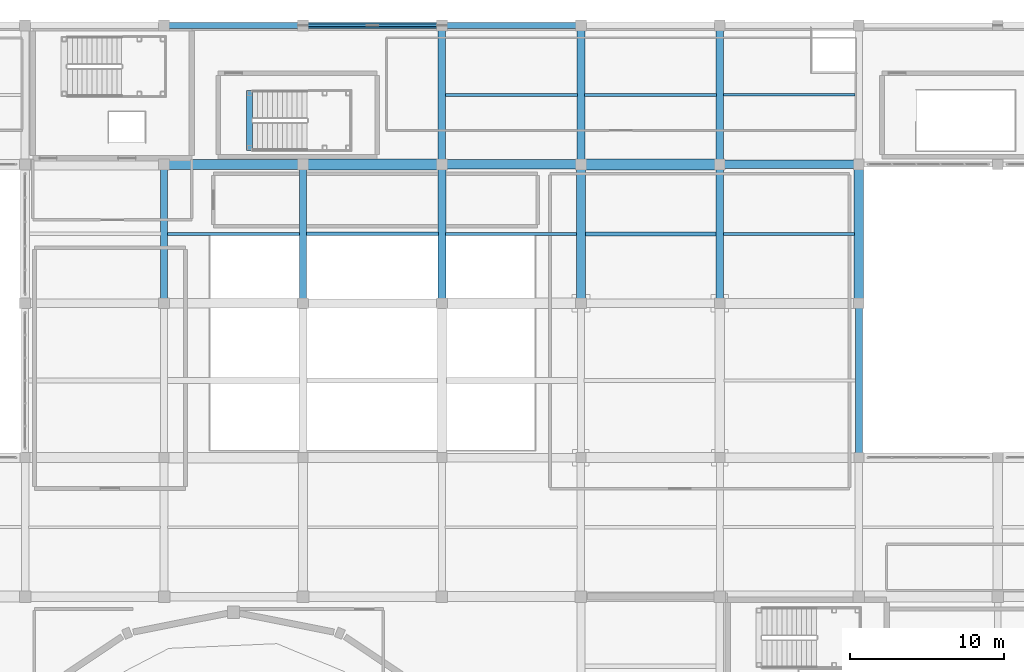
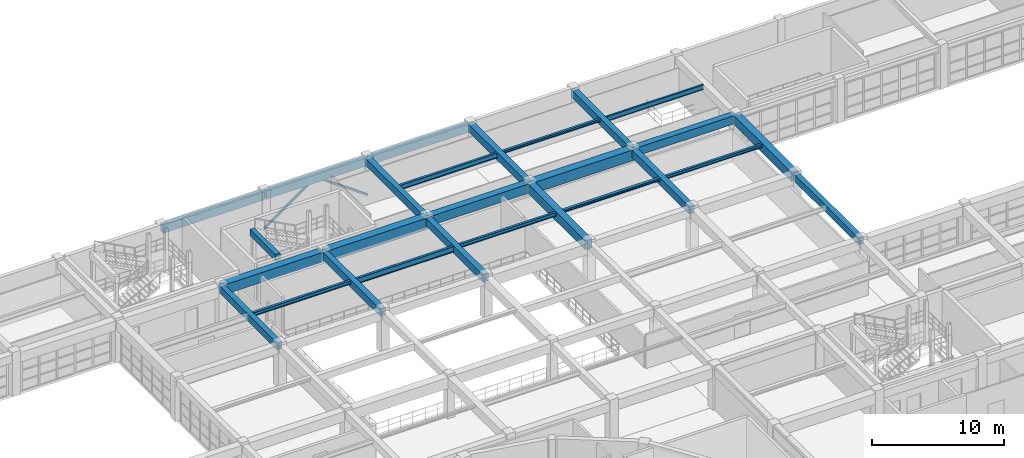
# One storey, part 72 of 130: 27 beams, 2 members.
"""IFC4 building model written with IfcOpenShell, lengths in metres."""

from ifc_helpers import new_model, si_unit, direction, frame, origin, origin_2d, place, context, subcontext, project, spatial, rectangle, hollow_rectangle, i_section, extrude, material, material_profile, profile_set, type_object, element, save


model = new_model("IFC4")

# Units and contexts
model_context = context("Model", 3, precision=1e-05, world=origin(), true_north=direction((0.0, 1.0)))
body_context = subcontext(model_context, "Body", "Model", "MODEL_VIEW")
ifc_project = project(units=[si_unit("LENGTHUNIT", "METRE"), si_unit("AREAUNIT", "SQUARE_METRE"), si_unit("VOLUMEUNIT", "CUBIC_METRE"), si_unit("PLANEANGLEUNIT", "RADIAN"), si_unit("MASSUNIT", "GRAM", prefix="KILO")], contexts=[model_context])

# Site, building, storey
site_placement = place(None, origin())
site = spatial("IfcSite", under=ifc_project, at=site_placement, CompositionType="ELEMENT")
building_placement = place(site_placement, origin())
building = spatial("IfcBuilding", under=site, at=building_placement, Name="Miravela Opera House", CompositionType="ELEMENT")
storey_placement = place(building_placement, frame((0.0, 0.0, 9.52001953125)))
storey = spatial("IfcBuildingStorey", under=building, at=storey_placement, Name="L02", CompositionType="ELEMENT", Elevation=9.52001953125)

# Beams
ifc_material_1 = material(Name="Concrete C35/45", Category="concrete")
ifc_material_profile_1 = material_profile(ifc_material_1, rectangle(XDim=0.39990234375, YDim=0.60009765625, at=origin_2d()), Name="RC-BM-400X600")
ifc_profile_set_1 = profile_set([ifc_material_profile_1])
beam_type_1 = type_object("IfcBeamType", Name="STR-BM-RC400X600", PredefinedType="JOIST", material=ifc_profile_set_1)
beam_1_placement = place(storey_placement, frame((77.5400390625, 103.89990234375, 3.780029296875), z_axis=(0.0, 1.0, 0.0), x_axis=(-1.0, 0.0, 0.0)))
element("IfcBeam", 1, at=beam_1_placement, inside=storey, type_object=beam_type_1, Name="Stair ST-07 Opening Header Trimmer Beam 03", PredefinedType="JOIST", context=body_context, shape_type="SweptSolid", body=[
    extrude(rectangle(XDim=0.39990234375, YDim=0.60009765625, at=origin_2d()), origin(), (0.0, 0.0, 1.0), 3.880126953125),
])
ifc_material_profile_2 = material_profile(ifc_material_1, rectangle(XDim=0.449951171875, YDim=0.64990234375, at=origin_2d()), Name="RC-BM-450X650")
ifc_profile_set_2 = profile_set([ifc_material_profile_2])
beam_type_2 = type_object("IfcBeamType", Name="STR-BM-RC450X650", PredefinedType="BEAM", material=ifc_profile_set_2)
beam_2_placement = place(storey_placement, frame((72.0, 94.080078125, 3.514892578125), z_axis=(0.0, 1.0, 0.0), x_axis=(-1.0, 0.0, 0.0)))
element("IfcBeam", 2, at=beam_2_placement, inside=storey, type_object=beam_type_2, Name="Floor Girder L02 9/K-L", PredefinedType="BEAM", context=body_context, shape_type="SweptSolid", body=[
    extrude(rectangle(XDim=0.449951171875, YDim=0.64990234375, at=origin_2d()), origin(), (0.0, 0.0, 1.0), 8.83984375),
])
beam_3_placement = place(storey_placement, frame((117.0, 84.080078125, 3.514892578125), z_axis=(0.0, 1.0, 0.0), x_axis=(-1.0, 0.0, 0.0)))
element("IfcBeam", 3, at=beam_3_placement, inside=storey, type_object=beam_type_2, Name="Floor Girder L02 14/J-K", PredefinedType="BEAM", context=body_context, shape_type="SweptSolid", body=[
    extrude(rectangle(XDim=0.449951171875, YDim=0.64990234375, at=origin_2d()), origin(), (0.0, 0.0, 1.0), 9.83984375),
])
ifc_material_profile_3 = material_profile(ifc_material_1, rectangle(XDim=0.47998046875, YDim=0.679931640625, at=origin_2d()), Name="RC-BM-480X680")
ifc_profile_set_3 = profile_set([ifc_material_profile_3])
beam_type_3 = type_object("IfcBeamType", Name="STR-BM-RC480X680", PredefinedType="BEAM", material=ifc_profile_set_3)
for number, where, z_axis, x_axis, name in (
    (4, (81.0, 94.080078125, 3.5), (0.0, 1.0, 0.0), (-1.0, 0.0, 0.0), "Floor Girder L02 10/K-L"),
    (5, (90.0, 103.080078125, 3.5), (0.0, 1.0, 0.0), (-1.0, 0.0, 0.0), "Floor Girder L02 11/L-M"),
    (6, (108.0, 103.080078125, 3.5), (0.0, 1.0, 0.0), (-1.0, 0.0, 0.0), "Floor Girder L02 13/L-M"),
):
    element("IfcBeam", number, at=place(storey_placement, frame(where, z_axis=z_axis, x_axis=x_axis)), inside=storey, type_object=beam_type_3, Name=name, PredefinedType="BEAM", context=body_context, shape_type="SweptSolid", body=[
        extrude(rectangle(XDim=0.47998046875, YDim=0.679931640625, at=origin_2d()), origin(), (0.0, 0.0, 1.0), 8.83984375),
    ])
ifc_material_profile_4 = material_profile(ifc_material_1, rectangle(XDim=0.5, YDim=0.699951171875, at=origin_2d()), Name="RC-BM-500X700")
ifc_profile_set_4 = profile_set([ifc_material_profile_4])
beam_type_4 = type_object("IfcBeamType", Name="STR-BM-RC500X700", PredefinedType="BEAM", material=ifc_profile_set_4)
for number, where, z_axis, x_axis, name in (
    (7, (90.0, 94.080078125, 3.489990234375), (0.0, 1.0, 0.0), (-1.0, 0.0, 0.0), "Floor Girder L02 11/K-L"),
    (8, (99.0, 103.080078125, 3.489990234375), (0.0, 1.0, 0.0), (-1.0, 0.0, 0.0), "Floor Girder L02 12/L-M"),
    (9, (108.0, 94.080078125, 3.489990234375), (0.0, 1.0, 0.0), (-1.0, 0.0, 0.0), "Floor Girder L02 13/K-L"),
):
    element("IfcBeam", number, at=place(storey_placement, frame(where, z_axis=z_axis, x_axis=x_axis)), inside=storey, type_object=beam_type_4, Name=name, PredefinedType="BEAM", context=body_context, shape_type="SweptSolid", body=[
        extrude(rectangle(XDim=0.5, YDim=0.699951171875, at=origin_2d()), origin(), (0.0, 0.0, 1.0), 8.83984375),
    ])
ifc_material_profile_5 = material_profile(ifc_material_1, rectangle(XDim=0.550048828125, YDim=0.75, at=origin_2d()), Name="RC-BM-550X750")
ifc_profile_set_5 = profile_set([ifc_material_profile_5])
beam_type_5 = type_object("IfcBeamType", Name="STR-BM-RC550X750", PredefinedType="BEAM", material=ifc_profile_set_5)
beam_4_placement = place(storey_placement, frame((108.080078125, 103.0, 3.465087890625), z_axis=(1.0, 0.0, 0.0), x_axis=(0.0, 1.0, 0.0)))
element("IfcBeam", 10, at=beam_4_placement, inside=storey, type_object=beam_type_5, Name="Floor Girder L02 13-14/L", PredefinedType="BEAM", context=body_context, shape_type="SweptSolid", body=[
    extrude(rectangle(XDim=0.550048828125, YDim=0.75, at=origin_2d()), origin(), (0.0, 0.0, 1.0), 8.83984375),
])
ifc_material_2 = material(Name="Concrete C40/50", Category="concrete")
ifc_material_profile_6 = material_profile(ifc_material_2, rectangle(XDim=0.60009765625, YDim=0.85009765625, at=origin_2d()), Name="RC-BM-600X850")
ifc_profile_set_6 = profile_set([ifc_material_profile_6])
beam_type_6 = type_object("IfcBeamType", Name="STR-BM-RC600X850", PredefinedType="BEAM", material=ifc_profile_set_6)
for number, where, z_axis, x_axis, name in (
    (11, (90.080078125, 103.0, 3.4150390625), (1.0, 0.0, 0.0), (0.0, 1.0, 0.0), "Floor Girder L02 11-12/L"),
    (12, (99.0, 94.080078125, 3.4150390625), (0.0, 1.0, 0.0), (-1.0, 0.0, 0.0), "Floor Girder L02 12/K-L"),
    (13, (117.0, 94.080078125, 3.4150390625), (0.0, 1.0, 0.0), (-1.0, 0.0, 0.0), "Floor Girder L02 14/K-L"),
):
    element("IfcBeam", number, at=place(storey_placement, frame(where, z_axis=z_axis, x_axis=x_axis)), inside=storey, type_object=beam_type_6, Name=name, PredefinedType="BEAM", context=body_context, shape_type="SweptSolid", body=[
        extrude(rectangle(XDim=0.60009765625, YDim=0.85009765625, at=origin_2d()), origin(), (0.0, 0.0, 1.0), 8.83984375),
    ])
ifc_material_profile_7 = material_profile(ifc_material_2, rectangle(XDim=0.64990234375, YDim=0.89990234375, at=origin_2d()), Name="RC-BM-650X900")
ifc_profile_set_7 = profile_set([ifc_material_profile_7])
beam_type_7 = type_object("IfcBeamType", Name="STR-BM-RC650X900", PredefinedType="BEAM", material=ifc_profile_set_7)
beam_5_placement = place(storey_placement, frame((72.080078125, 103.0, 3.389892578125), z_axis=(1.0, 0.0, 0.0), x_axis=(0.0, 1.0, 0.0)))
element("IfcBeam", 14, at=beam_5_placement, inside=storey, type_object=beam_type_7, Name="Floor Girder L02 9-10/L", PredefinedType="BEAM", context=body_context, shape_type="SweptSolid", body=[
    extrude(rectangle(XDim=0.64990234375, YDim=0.89990234375, at=origin_2d()), origin(), (0.0, 0.0, 1.0), 8.83984375),
])
ifc_material_profile_8 = material_profile(ifc_material_2, rectangle(XDim=0.699951171875, YDim=1.0, at=origin_2d()), Name="RC-BM-700X1000")
ifc_profile_set_8 = profile_set([ifc_material_profile_8])
beam_type_8 = type_object("IfcBeamType", Name="STR-BM-RC700X1000", PredefinedType="BEAM", material=ifc_profile_set_8)
for number, where, z_axis, x_axis, name in (
    (15, (81.080078125, 103.0, 3.340087890625), (1.0, 0.0, 0.0), (0.0, 1.0, 0.0), "Floor Girder L02 10-11/L"),
    (16, (99.080078125, 103.0, 3.340087890625), (1.0, 0.0, 0.0), (0.0, 1.0, 0.0), "Floor Girder L02 12-13/L"),
):
    element("IfcBeam", number, at=place(storey_placement, frame(where, z_axis=z_axis, x_axis=x_axis)), inside=storey, type_object=beam_type_8, Name=name, PredefinedType="BEAM", context=body_context, shape_type="SweptSolid", body=[
        extrude(rectangle(XDim=0.699951171875, YDim=1.0, at=origin_2d()), origin(), (0.0, 0.0, 1.0), 8.83984375),
    ])
ifc_material_3 = material(Name="Structural steel ASTM A992 Gr. 50", Category="steel")
ifc_material_profile_9 = material_profile(ifc_material_3, i_section(OverallWidth=0.201904296875, OverallDepth=0.2470703125, WebThickness=0.00732421875, FlangeThickness=0.010986328125, FilletRadius=0.011962890625, at=origin_2d()), Name="W250X49")
ifc_profile_set_9 = profile_set([ifc_material_profile_9])
beam_type_9 = type_object("IfcBeamType", Name="STR-BM-W250X49", PredefinedType="LINTEL", material=ifc_profile_set_9)
beam_6_placement = place(storey_placement, frame((99.235107421875, 107.5, 3.716552734375), z_axis=(1.0, 0.0, 0.0), x_axis=(0.0, 1.0, 0.0)))
element("IfcBeam", 17, at=beam_6_placement, inside=storey, type_object=beam_type_9, Name="Secondary Floor Joist L02 12-13/L-M", PredefinedType="LINTEL", context=body_context, shape_type="SweptSolid", body=[
    extrude(i_section(OverallWidth=0.201904296875, OverallDepth=0.2470703125, WebThickness=0.00732421875, FlangeThickness=0.010986328125, FilletRadius=0.011962890625, at=origin_2d()), origin(), (0.0, 0.0, 1.0), 8.539794921875),
])
ifc_material_profile_10 = material_profile(ifc_material_3, i_section(OverallWidth=0.25390625, OverallDepth=0.2529296875, WebThickness=0.008544921875, FlangeThickness=0.01416015625, FilletRadius=0.011962890625, at=origin_2d()), Name="W250X73")
ifc_profile_set_10 = profile_set([ifc_material_profile_10])
beam_type_10 = type_object("IfcBeamType", Name="STR-BM-W250X73", PredefinedType="JOIST", material=ifc_profile_set_10)
beam_7_placement = place(storey_placement, frame((99.284912109375, 98.5, 3.71337890625), z_axis=(1.0, 0.0, 0.0), x_axis=(0.0, 1.0, 0.0)))
element("IfcBeam", 18, at=beam_7_placement, inside=storey, type_object=beam_type_10, Name="Secondary Floor Joist L02 12-13/K-L", PredefinedType="JOIST", context=body_context, shape_type="SweptSolid", body=[
    extrude(i_section(OverallWidth=0.25390625, OverallDepth=0.2529296875, WebThickness=0.008544921875, FlangeThickness=0.01416015625, FilletRadius=0.011962890625, at=origin_2d()), origin(), (0.0, 0.0, 1.0), 8.47998046875),
])
ifc_material_profile_11 = material_profile(ifc_material_3, i_section(OverallWidth=0.202880859375, OverallDepth=0.302978515625, WebThickness=0.007568359375, FlangeThickness=0.01318359375, FilletRadius=0.012939453125, at=origin_2d()), Name="W310X60")
ifc_profile_set_11 = profile_set([ifc_material_profile_11])
beam_type_11 = type_object("IfcBeamType", Name="STR-BM-W310X60", PredefinedType="JOIST", material=ifc_profile_set_11)
beam_8_placement = place(storey_placement, frame((108.235107421875, 98.5, 3.6884765625), z_axis=(1.0, 0.0, 0.0), x_axis=(0.0, 1.0, 0.0)))
element("IfcBeam", 19, at=beam_8_placement, inside=storey, type_object=beam_type_11, Name="Secondary Floor Joist L02 13-14/K-L", PredefinedType="JOIST", context=body_context, shape_type="SweptSolid", body=[
    extrude(i_section(OverallWidth=0.202880859375, OverallDepth=0.302978515625, WebThickness=0.007568359375, FlangeThickness=0.01318359375, FilletRadius=0.012939453125, at=origin_2d()), origin(), (0.0, 0.0, 1.0), 8.47998046875),
])
ifc_material_profile_12 = material_profile(ifc_material_3, i_section(OverallWidth=0.2041015625, OverallDepth=0.35009765625, WebThickness=0.008544921875, FlangeThickness=0.01513671875, FilletRadius=0.013916015625, at=origin_2d()), Name="W360X72")
ifc_profile_set_12 = profile_set([ifc_material_profile_12])
beam_type_12 = type_object("IfcBeamType", Name="STR-BM-W360X72", PredefinedType="JOIST", material=ifc_profile_set_12)
beam_9_placement = place(storey_placement, frame((72.2099609375, 98.5, 3.6650390625), z_axis=(1.0, 0.0, 0.0), x_axis=(0.0, 1.0, 0.0)))
element("IfcBeam", 20, at=beam_9_placement, inside=storey, type_object=beam_type_12, Name="Secondary Floor Joist L02 9-10/K-L", PredefinedType="JOIST", context=body_context, shape_type="SweptSolid", body=[
    extrude(i_section(OverallWidth=0.2041015625, OverallDepth=0.35009765625, WebThickness=0.008544921875, FlangeThickness=0.01513671875, FilletRadius=0.013916015625, at=origin_2d()), origin(), (0.0, 0.0, 1.0), 8.56494140625),
])
beam_10_placement = place(storey_placement, frame((90.235107421875, 98.5, 3.6650390625), z_axis=(1.0, 0.0, 0.0), x_axis=(0.0, 1.0, 0.0)))
element("IfcBeam", 21, at=beam_10_placement, inside=storey, type_object=beam_type_12, Name="Secondary Floor Joist L02 11-12/K-L", PredefinedType="JOIST", context=body_context, shape_type="SweptSolid", body=[
    extrude(i_section(OverallWidth=0.2041015625, OverallDepth=0.35009765625, WebThickness=0.008544921875, FlangeThickness=0.01513671875, FilletRadius=0.013916015625, at=origin_2d()), origin(), (0.0, 0.0, 1.0), 8.47998046875),
])
ifc_material_profile_13 = material_profile(ifc_material_3, i_section(OverallWidth=0.154052734375, OverallDepth=0.458984375, WebThickness=0.009033203125, FlangeThickness=0.015380859375, FilletRadius=0.013916015625, at=origin_2d()), Name="W460X68")
ifc_profile_set_13 = profile_set([ifc_material_profile_13])
beam_type_13 = type_object("IfcBeamType", Name="STR-BM-W460X68", PredefinedType="JOIST", material=ifc_profile_set_13)
beam_11_placement = place(storey_placement, frame((108.22509765625, 107.5, 3.610595703125), z_axis=(1.0, 0.0, 0.0), x_axis=(0.0, 1.0, 0.0)))
element("IfcBeam", 22, at=beam_11_placement, inside=storey, type_object=beam_type_13, Name="Secondary Floor Joist L02 13-14/L-M", PredefinedType="JOIST", context=body_context, shape_type="SweptSolid", body=[
    extrude(i_section(OverallWidth=0.154052734375, OverallDepth=0.458984375, WebThickness=0.009033203125, FlangeThickness=0.015380859375, FilletRadius=0.013916015625, at=origin_2d()), origin(), (0.0, 0.0, 1.0), 8.539794921875),
])
ifc_material_profile_14 = material_profile(ifc_material_3, i_section(OverallWidth=0.19091796875, OverallDepth=0.4599609375, WebThickness=0.010009765625, FlangeThickness=0.01611328125, FilletRadius=0.014892578125, at=origin_2d()), Name="W460X82")
ifc_profile_set_14 = profile_set([ifc_material_profile_14])
beam_type_14 = type_object("IfcBeamType", Name="STR-BM-W460X82", PredefinedType="JOIST", material=ifc_profile_set_14)
beam_12_placement = place(storey_placement, frame((90.22509765625, 107.5, 3.60986328125), z_axis=(1.0, 0.0, 0.0), x_axis=(0.0, 1.0, 0.0)))
element("IfcBeam", 23, at=beam_12_placement, inside=storey, type_object=beam_type_14, Name="Secondary Floor Joist L02 11-12/L-M", PredefinedType="JOIST", context=body_context, shape_type="SweptSolid", body=[
    extrude(i_section(OverallWidth=0.19091796875, OverallDepth=0.4599609375, WebThickness=0.010009765625, FlangeThickness=0.01611328125, FilletRadius=0.014892578125, at=origin_2d()), origin(), (0.0, 0.0, 1.0), 8.539794921875),
])
ifc_material_profile_15 = material_profile(ifc_material_3, i_section(OverallWidth=0.208984375, OverallDepth=0.532958984375, WebThickness=0.01025390625, FlangeThickness=0.015625, FilletRadius=0.014892578125, at=origin_2d()), Name="W530X92")
ifc_profile_set_15 = profile_set([ifc_material_profile_15])
beam_type_15 = type_object("IfcBeamType", Name="STR-BM-W530X92", PredefinedType="BEAM", material=ifc_profile_set_15)
beam_13_placement = place(storey_placement, frame((81.22509765625, 98.5, 3.573486328125), z_axis=(1.0, 0.0, 0.0), x_axis=(0.0, 1.0, 0.0)))
element("IfcBeam", 24, at=beam_13_placement, inside=storey, type_object=beam_type_15, Name="Secondary Floor Joist L02 10-11/K-L", PredefinedType="BEAM", context=body_context, shape_type="SweptSolid", body=[
    extrude(i_section(OverallWidth=0.208984375, OverallDepth=0.532958984375, WebThickness=0.01025390625, FlangeThickness=0.015625, FilletRadius=0.014892578125, at=origin_2d()), origin(), (0.0, 0.0, 1.0), 8.539794921875),
])

# Members
ifc_material_4 = material(Name="Hollow structural steel ASTM A500 Gr. C", Category="steel")
ifc_material_profile_16 = material_profile(ifc_material_4, hollow_rectangle(XDim=0.179931640625, YDim=0.179931640625, WallThickness=0.010009765625, InnerFilletRadius=0.010009765625, OuterFilletRadius=0.02001953125, at=origin_2d()), Name="HSS180X180X10")
ifc_profile_set_16 = profile_set([ifc_material_profile_16])
member_type = type_object("IfcMemberType", Name="STR-MEM-BRACE-HSS180", PredefinedType="BRACE", material=ifc_profile_set_16)
for number, where, z_axis, x_axis, name in (
    (25, (81.0, 112.0, 0.300048828125), (0.81581566002, 0.0, 0.57831203417), (0.0, 1.0, 0.0), "Concentric Braced Frame BF-N2 L02 Left Brace"),
    (26, (90.0, 112.0, 0.300048828125), (-0.81581566002, 0.0, 0.57831203417), (0.0, -1.0, 0.0), "Concentric Braced Frame BF-N2 L02 Right Brace"),
):
    element("IfcMember", number, at=place(storey_placement, frame(where, z_axis=z_axis, x_axis=x_axis)), inside=storey, type_object=member_type, Name=name, PredefinedType="BRACE", context=body_context, shape_type="SweptSolid", body=[
        extrude(hollow_rectangle(XDim=0.179931640625, YDim=0.179931640625, WallThickness=0.010009765625, InnerFilletRadius=0.010009765625, OuterFilletRadius=0.02001953125, at=origin_2d()), origin(), (0.0, 0.0, 1.0), 5.515869140625),
    ])

# Beams
ifc_material_profile_17 = material_profile(ifc_material_1, rectangle(XDim=0.39990234375, YDim=0.75, at=origin_2d()), Name="RC-SPN-400X750")
ifc_profile_set_17 = profile_set([ifc_material_profile_17])
beam_type_16 = type_object("IfcBeamType", Name="STR-SPN-RC400X750", PredefinedType="SPANDREL", material=ifc_profile_set_17)
for number, where, z_axis, x_axis, name in (
    (27, (72.080078125, 112.0, 3.465087890625), (1.0, 0.0, 0.0), (0.0, 1.0, 0.0), "Floor Girder L02 9-10/M"),
    (28, (81.080078125, 112.0, 3.465087890625), (1.0, 0.0, 0.0), (0.0, 1.0, 0.0), "Floor Girder L02 10-11/M"),
    (29, (90.080078125, 112.0, 3.465087890625), (1.0, 0.0, 0.0), (0.0, 1.0, 0.0), "Floor Girder L02 11-12/M"),
):
    element("IfcBeam", number, at=place(storey_placement, frame(where, z_axis=z_axis, x_axis=x_axis)), inside=storey, type_object=beam_type_16, Name=name, PredefinedType="SPANDREL", context=body_context, shape_type="SweptSolid", body=[
        extrude(rectangle(XDim=0.39990234375, YDim=0.75, at=origin_2d()), origin(), (0.0, 0.0, 1.0), 8.83984375),
    ])

save(model, "model.ifc")
